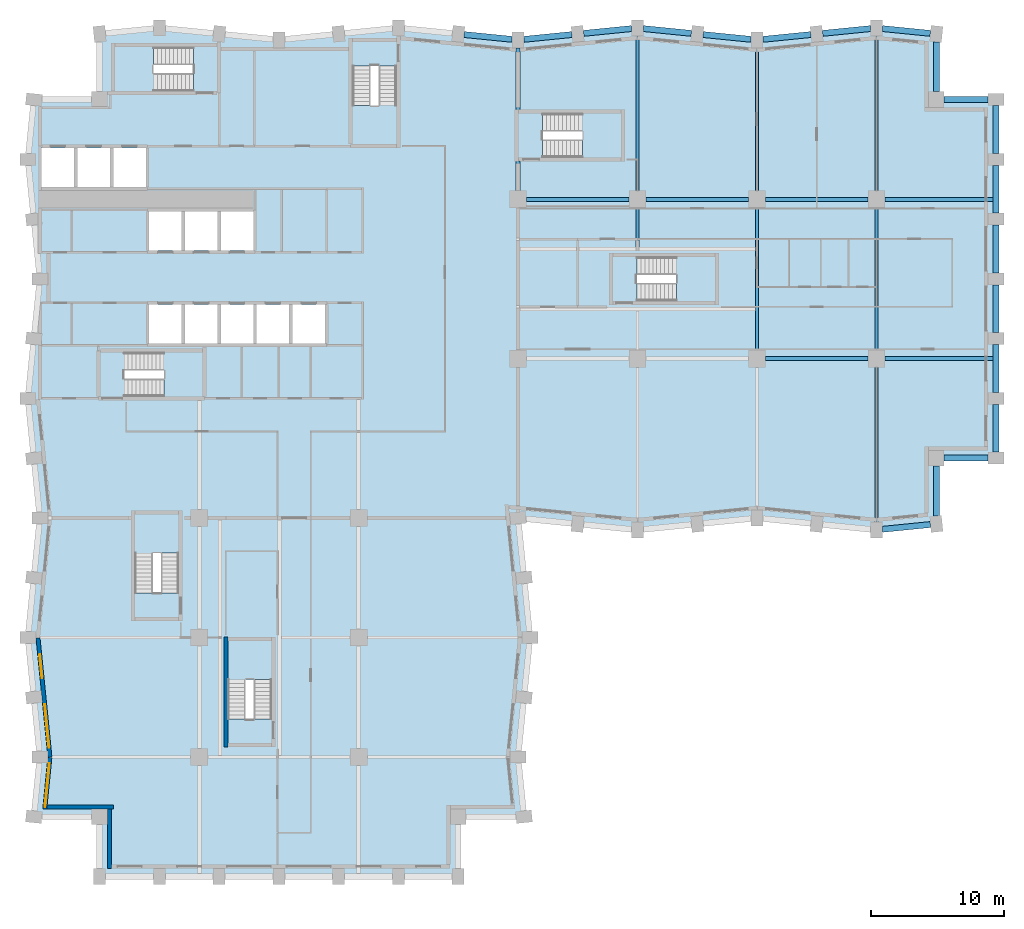
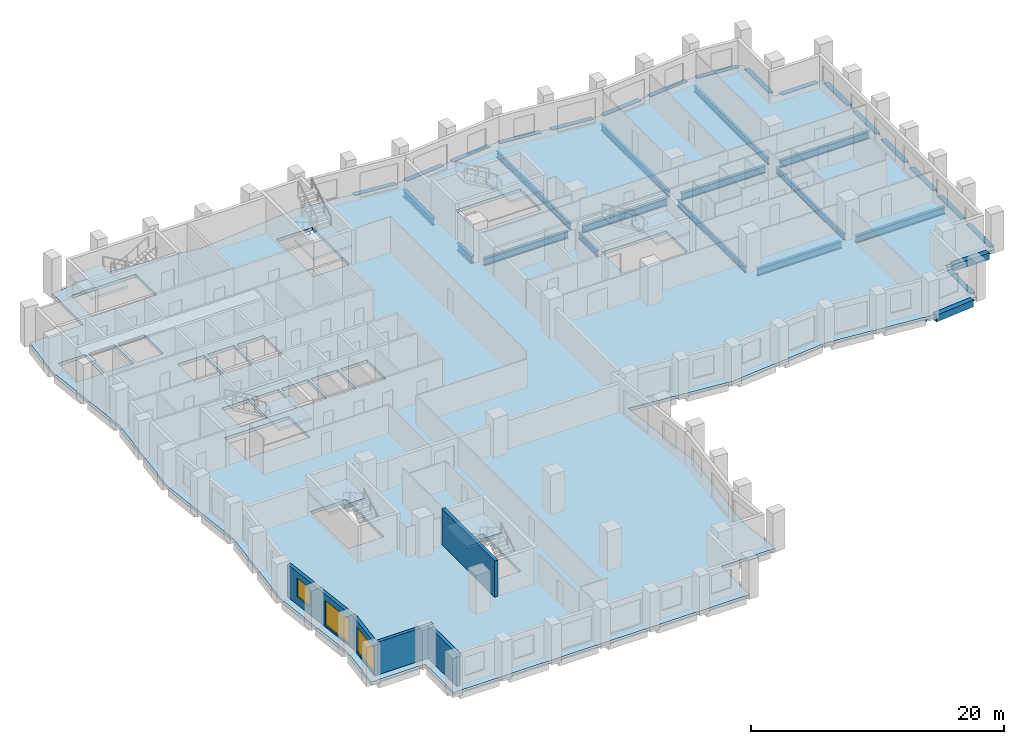
# One storey, part 2 of 11: 34 beams, 8 slabs, 5 walls, 3 windows, 3 openings, 7 elements without a shape of their own.
"""IFC4 building model written with IfcOpenShell, lengths in metres."""

from ifc_helpers import new_model, si_unit, direction, frame, frame_2d, origin, origin_2d, place, context, subcontext, project, spatial, polyline, rectangle, i_section, outline, extrude, material, layer, layer_set, material_profile, profile_set, type_object, element, fill, aggregate, save


model = new_model("IFC4")

# Units and contexts
model_context = context("Model", 3, precision=1e-05, world=origin(), true_north=direction((0.0, 1.0)))
body_context = subcontext(model_context, "Body", "Model", "MODEL_VIEW")
ifc_project = project(units=[si_unit("LENGTHUNIT", "METRE"), si_unit("AREAUNIT", "SQUARE_METRE"), si_unit("VOLUMEUNIT", "CUBIC_METRE"), si_unit("PLANEANGLEUNIT", "RADIAN"), si_unit("MASSUNIT", "GRAM", prefix="KILO")], contexts=[model_context])

# Site, building, storey
site_placement = place(None, origin())
site = spatial("IfcSite", under=ifc_project, at=site_placement, CompositionType="ELEMENT")
building_placement = place(site_placement, origin())
building = spatial("IfcBuilding", under=site, at=building_placement, Name="Brondeck Convention Tower", CompositionType="ELEMENT")
storey_placement = place(building_placement, frame((0.0, 0.0, 115.10009765625)))
storey = spatial("IfcBuildingStorey", under=building, at=storey_placement, Name="L27", CompositionType="ELEMENT", Elevation=115.10009765625)

# Beams
ifc_material_1 = material(Name="Steel S355", Category="steel")
ifc_material_profile_1 = material_profile(ifc_material_1, i_section(OverallWidth=0.219970703125, OverallDepth=0.60009765625, WebThickness=0.011962890625, FlangeThickness=0.01904296875, FilletRadius=0.02392578125, at=origin_2d()), Name="IPE 600")
ifc_profile_set_1 = profile_set([ifc_material_profile_1], Name="Steel S355")
beam_type_1 = type_object("IfcBeamType", Name="Floor beam IPE 600", PredefinedType="BEAM", material=ifc_profile_set_1)
beam_1_placement = place(storey_placement, frame((45.0, 51.64990234375, -0.60009765625), z_axis=(0.0, 1.0, 0.0), x_axis=(-1.0, 0.0, 0.0)))
element("IfcBeam", 1, at=beam_1_placement, inside=storey, type_object=beam_type_1, Name="STR-FB-L27-002", PredefinedType="BEAM", context=body_context, shape_type="SweptSolid", body=[
    extrude(i_section(OverallWidth=0.219970703125, OverallDepth=0.60009765625, WebThickness=0.011962890625, FlangeThickness=0.01904296875, FilletRadius=0.02392578125, at=origin_2d()), origin(), (0.0, 0.0, 1.0), 11.650146484375),
])
beam_2_placement = place(storey_placement, frame((54.0, 39.64990234375, -0.60009765625), z_axis=(0.0, 1.0, 0.0), x_axis=(-1.0, 0.0, 0.0)))
element("IfcBeam", 2, at=beam_2_placement, inside=storey, type_object=beam_type_1, Name="STR-FB-L27-004", PredefinedType="BEAM", context=body_context, shape_type="SweptSolid", body=[
    extrude(i_section(OverallWidth=0.219970703125, OverallDepth=0.60009765625, WebThickness=0.011962890625, FlangeThickness=0.01904296875, FilletRadius=0.02392578125, at=origin_2d()), origin(), (0.0, 0.0, 1.0), 10.7001953125),
])
beam_3_placement = place(storey_placement, frame((54.0, 51.64990234375, -0.60009765625), z_axis=(0.0, 1.0, 0.0), x_axis=(-1.0, 0.0, 0.0)))
element("IfcBeam", 3, at=beam_3_placement, inside=storey, type_object=beam_type_1, Name="STR-FB-L27-005", PredefinedType="BEAM", context=body_context, shape_type="SweptSolid", body=[
    extrude(i_section(OverallWidth=0.219970703125, OverallDepth=0.60009765625, WebThickness=0.011962890625, FlangeThickness=0.01904296875, FilletRadius=0.02392578125, at=origin_2d()), origin(), (0.0, 0.0, 1.0), 10.75),
])
beam_4_placement = place(storey_placement, frame((63.0, 26.699951171875, -0.60009765625), z_axis=(0.0, 1.0, 0.0), x_axis=(-1.0, 0.0, 0.0)))
element("IfcBeam", 4, at=beam_4_placement, inside=storey, type_object=beam_type_1, Name="STR-FB-L27-006", PredefinedType="BEAM", context=body_context, shape_type="SweptSolid", body=[
    extrude(i_section(OverallWidth=0.219970703125, OverallDepth=0.60009765625, WebThickness=0.011962890625, FlangeThickness=0.01904296875, FilletRadius=0.02392578125, at=origin_2d()), origin(), (0.0, 0.0, 1.0), 11.650146484375),
])
beam_5_placement = place(storey_placement, frame((63.0, 39.64990234375, -0.60009765625), z_axis=(0.0, 1.0, 0.0), x_axis=(-1.0, 0.0, 0.0)))
element("IfcBeam", 5, at=beam_5_placement, inside=storey, type_object=beam_type_1, Name="STR-FB-L27-007", PredefinedType="BEAM", context=body_context, shape_type="SweptSolid", body=[
    extrude(i_section(OverallWidth=0.219970703125, OverallDepth=0.60009765625, WebThickness=0.011962890625, FlangeThickness=0.01904296875, FilletRadius=0.02392578125, at=origin_2d()), origin(), (0.0, 0.0, 1.0), 10.7001953125),
])
beam_6_placement = place(storey_placement, frame((63.0, 51.64990234375, -0.60009765625), z_axis=(0.0, 1.0, 0.0), x_axis=(-1.0, 0.0, 0.0)))
element("IfcBeam", 6, at=beam_6_placement, inside=storey, type_object=beam_type_1, Name="STR-FB-L27-008", PredefinedType="BEAM", context=body_context, shape_type="SweptSolid", body=[
    extrude(i_section(OverallWidth=0.219970703125, OverallDepth=0.60009765625, WebThickness=0.011962890625, FlangeThickness=0.01904296875, FilletRadius=0.02392578125, at=origin_2d()), origin(), (0.0, 0.0, 1.0), 11.650146484375),
])
beam_7_placement = place(storey_placement, frame((45.0, 47.39990234375, -0.60009765625), z_axis=(0.0, 1.0, 0.0), x_axis=(-1.0, 0.0, 0.0)))
element("IfcBeam", 7, at=beam_7_placement, inside=storey, type_object=beam_type_1, Name="STR-FB-L27-015", PredefinedType="BEAM", context=body_context, shape_type="SweptSolid", body=[
    extrude(i_section(OverallWidth=0.219970703125, OverallDepth=0.60009765625, WebThickness=0.011962890625, FlangeThickness=0.01904296875, FilletRadius=0.02392578125, at=origin_2d()), origin(), (0.0, 0.0, 1.0), 2.9501953125),
])
ifc_material_profile_2 = material_profile(ifc_material_1, i_section(OverallWidth=0.300048828125, OverallDepth=0.699951171875, WebThickness=0.01708984375, FlangeThickness=0.031982421875, FilletRadius=0.027099609375, at=origin_2d()), Name="HEB 700")
ifc_profile_set_2 = profile_set([ifc_material_profile_2], Name="Steel S355")
beam_type_2 = type_object("IfcBeamType", Name="Girder HEB 700", PredefinedType="BEAM", material=ifc_profile_set_2)
beam_8_placement = place(storey_placement, frame((54.64990234375, 39.0, -0.650146484375), z_axis=(1.0, 0.0, 0.0), x_axis=(0.0, 1.0, 0.0)))
element("IfcBeam", 8, at=beam_8_placement, inside=storey, type_object=beam_type_2, Name="STR-GR-L27-003", PredefinedType="BEAM", context=body_context, shape_type="SweptSolid", body=[
    extrude(i_section(OverallWidth=0.300048828125, OverallDepth=0.699951171875, WebThickness=0.01708984375, FlangeThickness=0.031982421875, FilletRadius=0.027099609375, at=origin_2d()), origin(), (0.0, 0.0, 1.0), 7.7001953125),
])
beam_9_placement = place(storey_placement, frame((63.64990234375, 39.0, -0.650146484375), z_axis=(1.0, 0.0, 0.0), x_axis=(0.0, 1.0, 0.0)))
element("IfcBeam", 9, at=beam_9_placement, inside=storey, type_object=beam_type_2, Name="STR-GR-L27-004", PredefinedType="BEAM", context=body_context, shape_type="SweptSolid", body=[
    extrude(i_section(OverallWidth=0.300048828125, OverallDepth=0.699951171875, WebThickness=0.01708984375, FlangeThickness=0.031982421875, FilletRadius=0.027099609375, at=origin_2d()), origin(), (0.0, 0.0, 1.0), 8.125),
])
for number, where, z_axis, x_axis, name in (
    (10, (36.64990234375, 51.0, -0.650146484375), (1.0, 0.0, 0.0), (0.0, 1.0, 0.0), "STR-GR-L27-005"),
    (11, (45.64990234375, 51.0, -0.650146484375), (1.0, 0.0, 0.0), (0.0, 1.0, 0.0), "STR-GR-L27-006"),
    (12, (54.64990234375, 51.0, -0.650146484375), (1.0, 0.0, 0.0), (0.0, 1.0, 0.0), "STR-GR-L27-007"),
):
    element("IfcBeam", number, at=place(storey_placement, frame(where, z_axis=z_axis, x_axis=x_axis)), inside=storey, type_object=beam_type_2, Name=name, PredefinedType="BEAM", context=body_context, shape_type="SweptSolid", body=[
        extrude(i_section(OverallWidth=0.300048828125, OverallDepth=0.699951171875, WebThickness=0.01708984375, FlangeThickness=0.031982421875, FilletRadius=0.027099609375, at=origin_2d()), origin(), (0.0, 0.0, 1.0), 7.7001953125),
    ])
beam_10_placement = place(storey_placement, frame((63.64990234375, 51.0, -0.650146484375), z_axis=(1.0, 0.0, 0.0), x_axis=(0.0, 1.0, 0.0)))
element("IfcBeam", 13, at=beam_10_placement, inside=storey, type_object=beam_type_2, Name="STR-GR-L27-008", PredefinedType="BEAM", context=body_context, shape_type="SweptSolid", body=[
    extrude(i_section(OverallWidth=0.300048828125, OverallDepth=0.699951171875, WebThickness=0.01708984375, FlangeThickness=0.031982421875, FilletRadius=0.027099609375, at=origin_2d()), origin(), (0.0, 0.0, 1.0), 8.125),
])
beam_11_placement = place(storey_placement, frame((36.0, 51.64990234375, -0.650146484375), z_axis=(0.0, 1.0, 0.0), x_axis=(-1.0, 0.0, 0.0)))
element("IfcBeam", 14, at=beam_11_placement, inside=storey, type_object=beam_type_2, Name="STR-GR-L27-011", PredefinedType="BEAM", context=body_context, shape_type="SweptSolid", body=[
    extrude(i_section(OverallWidth=0.300048828125, OverallDepth=0.699951171875, WebThickness=0.01708984375, FlangeThickness=0.031982421875, FilletRadius=0.027099609375, at=origin_2d()), origin(), (0.0, 0.0, 1.0), 2.22998046875),
])
beam_12_placement = place(storey_placement, frame((36.0, 57.719970703125, -0.650146484375), z_axis=(0.0, 1.0, 0.0), x_axis=(-1.0, 0.0, 0.0)))
element("IfcBeam", 15, at=beam_12_placement, inside=storey, type_object=beam_type_2, Name="STR-GR-L27-012", PredefinedType="BEAM", context=body_context, shape_type="SweptSolid", body=[
    extrude(i_section(OverallWidth=0.300048828125, OverallDepth=0.699951171875, WebThickness=0.01708984375, FlangeThickness=0.031982421875, FilletRadius=0.027099609375, at=origin_2d()), origin(), (0.0, 0.0, 1.0), 4.679931640625),
])
ifc_material_2 = material(Name="Concrete C70/85", Category="concrete")
ifc_material_profile_3 = material_profile(ifc_material_2, rectangle(XDim=0.449951171875, YDim=0.64990234375, at=origin_2d()), Name="Precast spandrel 450x650 Concrete C70/85")
ifc_profile_set_3 = profile_set([ifc_material_profile_3], Name="Concrete C70/85")
beam_type_3 = type_object("IfcBeamType", Name="Precast spandrel 450x650 Concrete C70/85", PredefinedType="SPANDREL", material=ifc_profile_set_3)
beam_13_placement = place(storey_placement, frame((63.449951171875, 26.14501953125, -0.3251953125), z_axis=(0.995040528141, 0.099470334057, 0.0), x_axis=(-0.099470334057, 0.995040528141, 0.0)))
element("IfcBeam", 16, at=beam_13_placement, inside=storey, type_object=beam_type_3, Name="STR-SP-L27-020", PredefinedType="SPANDREL", context=body_context, shape_type="SweptSolid", body=[
    extrude(rectangle(XDim=0.449951171875, YDim=0.64990234375, at=origin_2d()), origin(), (0.0, 0.0, 1.0), 3.620361328125),
])
beam_14_placement = place(storey_placement, frame((67.5, 27.153076171875, -0.3251953125), z_axis=(0.0, 1.0, 0.0), x_axis=(-1.0, 0.0, 0.0)))
element("IfcBeam", 17, at=beam_14_placement, inside=storey, type_object=beam_type_3, Name="STR-SP-L27-021", PredefinedType="SPANDREL", context=body_context, shape_type="SweptSolid", body=[
    extrude(rectangle(XDim=0.449951171875, YDim=0.64990234375, at=origin_2d()), origin(), (0.0, 0.0, 1.0), 3.746826171875),
])
beam_15_placement = place(storey_placement, frame((68.10009765625, 31.5, -0.3251953125), z_axis=(1.0, 0.0, 0.0), x_axis=(0.0, 1.0, 0.0)))
element("IfcBeam", 18, at=beam_15_placement, inside=storey, type_object=beam_type_3, Name="STR-SP-L27-022", PredefinedType="SPANDREL", context=body_context, shape_type="SweptSolid", body=[
    extrude(rectangle(XDim=0.449951171875, YDim=0.64990234375, at=origin_2d()), origin(), (0.0, 0.0, 1.0), 3.2998046875),
])
for number, where, z_axis, x_axis, name in (
    (19, (72.0, 31.949951171875, -0.3251953125), (0.0, 1.0, 0.0), (-1.0, 0.0, 0.0), "STR-SP-L27-023"),
    (20, (72.0, 36.449951171875, -0.3251953125), (0.0, 1.0, 0.0), (-1.0, 0.0, 0.0), "STR-SP-L27-024"),
    (21, (72.0, 40.949951171875, -0.3251953125), (0.0, 1.0, 0.0), (-1.0, 0.0, 0.0), "STR-SP-L27-025"),
    (22, (72.0, 45.449951171875, -0.3251953125), (0.0, 1.0, 0.0), (-1.0, 0.0, 0.0), "STR-SP-L27-026"),
    (23, (72.0, 49.949951171875, -0.3251953125), (0.0, 1.0, 0.0), (-1.0, 0.0, 0.0), "STR-SP-L27-027"),
    (24, (72.0, 54.449951171875, -0.3251953125), (0.0, 1.0, 0.0), (-1.0, 0.0, 0.0), "STR-SP-L27-028"),
):
    element("IfcBeam", number, at=place(storey_placement, frame(where, z_axis=z_axis, x_axis=x_axis)), inside=storey, type_object=beam_type_3, Name=name, PredefinedType="SPANDREL", context=body_context, shape_type="SweptSolid", body=[
        extrude(rectangle(XDim=0.449951171875, YDim=0.64990234375, at=origin_2d()), origin(), (0.0, 0.0, 1.0), 3.60009765625),
    ])
beam_16_placement = place(storey_placement, frame((71.39990234375, 58.5, -0.3251953125), z_axis=(-1.0, 0.0, 0.0), x_axis=(0.0, -1.0, 0.0)))
element("IfcBeam", 25, at=beam_16_placement, inside=storey, type_object=beam_type_3, Name="STR-SP-L27-029", PredefinedType="SPANDREL", context=body_context, shape_type="SweptSolid", body=[
    extrude(rectangle(XDim=0.449951171875, YDim=0.64990234375, at=origin_2d()), origin(), (0.0, 0.0, 1.0), 3.2998046875),
])
beam_17_placement = place(storey_placement, frame((67.5, 59.10009765625, -0.3251953125), z_axis=(0.0, 1.0, 0.0), x_axis=(-1.0, 0.0, 0.0)))
element("IfcBeam", 26, at=beam_17_placement, inside=storey, type_object=beam_type_3, Name="STR-SP-L27-030", PredefinedType="SPANDREL", context=body_context, shape_type="SweptSolid", body=[
    extrude(rectangle(XDim=0.449951171875, YDim=0.64990234375, at=origin_2d()), origin(), (0.0, 0.0, 1.0), 3.746826171875),
])
for number, where, z_axis, x_axis, name in (
    (27, (67.05224609375, 63.494873046875, -0.3251953125), (-0.995040528141, 0.099470334057, 0.0), (-0.099470334057, -0.995040528141, 0.0), "STR-SP-L27-031"),
    (28, (62.550048828125, 63.85498046875, -0.3251953125), (-0.995040528141, -0.099470334057, 0.0), (0.099470334057, -0.995040528141, 0.0), "STR-SP-L27-032"),
    (29, (58.05224609375, 63.4052734375, -0.3251953125), (-0.995033851182, -0.099537103649, 0.0), (0.099537103649, -0.995033851182, 0.0), "STR-SP-L27-033"),
    (30, (53.550048828125, 63.044921875, -0.3251953125), (-0.995033851182, 0.099537103649, 0.0), (-0.099537103649, -0.995033851182, 0.0), "STR-SP-L27-034"),
    (31, (49.05224609375, 63.494873046875, -0.3251953125), (-0.995040528141, 0.099470334057, 0.0), (-0.099470334057, -0.995040528141, 0.0), "STR-SP-L27-035"),
    (32, (44.550048828125, 63.85498046875, -0.3251953125), (-0.995040528141, -0.099470334057, 0.0), (0.099470334057, -0.995040528141, 0.0), "STR-SP-L27-036"),
    (33, (40.05224609375, 63.4052734375, -0.3251953125), (-0.995033851182, -0.099537103649, 0.0), (0.099537103649, -0.995033851182, 0.0), "STR-SP-L27-037"),
    (34, (35.550048828125, 63.044921875, -0.3251953125), (-0.995033851182, 0.099537103649, 0.0), (-0.099537103649, -0.995033851182, 0.0), "STR-SP-L27-038"),
):
    element("IfcBeam", number, at=place(storey_placement, frame(where, z_axis=z_axis, x_axis=x_axis)), inside=storey, type_object=beam_type_3, Name=name, PredefinedType="SPANDREL", context=body_context, shape_type="SweptSolid", body=[
        extrude(rectangle(XDim=0.449951171875, YDim=0.64990234375, at=origin_2d()), origin(), (0.0, 0.0, 1.0), 3.620361328125),
    ])

# Slab
ifc_material_3 = material(Name="Concrete C35/45", Category="concrete")
ifc_layer_1 = layer(ifc_material_3, 0.300048828125)
ifc_layer_set_1 = layer_set([ifc_layer_1], Name="Composite floor slab 300")
slab_type_1 = type_object("IfcSlabType", Name="Composite floor slab 300", PredefinedType="FLOOR", material=ifc_layer_set_1)
slab_1_placement = place(storey_placement, frame((0.0, 0.0, -0.300048828125)))
element("IfcSlab", 35, at=slab_1_placement, inside=storey, type_object=slab_type_1, Name="STR-SL-L27", PredefinedType="FLOOR", context=body_context, shape_type="SweptSolid", body=[
    extrude(outline(polyline([(4.5, 4.5), (-0.449951171875, 4.5), (0.0, 9.0), (-0.89990234375, 18.0), (0.0, 27.0), (-0.89990234375, 36.0), (0.0, 45.0), (-0.89990234375, 54.0), (-0.449951171875, 58.5), (4.5, 58.5), (4.5, 63.449951171875), (9.0, 63.89990234375), (18.0, 63.0), (27.0, 63.89990234375), (36.0, 63.0), (45.0, 63.89990234375), (54.0, 63.0), (63.0, 63.89990234375), (67.5, 63.449951171875), (67.5, 58.5), (72.0, 58.5), (72.0, 31.5), (67.5, 31.5), (67.5, 26.550048828125), (63.0, 26.10009765625), (54.0, 27.0), (45.0, 26.10009765625), (36.0, 27.0), (36.89990234375, 18.0), (36.0, 9.0), (36.449951171875, 4.5), (31.5, 4.5), (31.5, 0.0), (4.5, 0.0), (4.5, 4.5)]), holes=[polyline([(10.447998046875, 27.248046875), (7.152099609375, 27.248046875), (7.152099609375, 21.35205078125), (10.447998046875, 21.35205078125), (10.447998046875, 27.248046875)]), polyline([(12.248046875, 36.152099609375), (12.248046875, 39.447998046875), (6.35205078125, 39.447998046875), (6.35205078125, 36.152099609375), (12.248046875, 36.152099609375)]), polyline([(10.675048828125, 40.125), (10.675048828125, 43.074951171875), (8.22509765625, 43.074951171875), (8.22509765625, 40.125), (10.675048828125, 40.125)]), polyline([(10.675048828125, 47.125), (10.675048828125, 50.074951171875), (8.22509765625, 50.074951171875), (8.22509765625, 47.125), (10.675048828125, 47.125)]), polyline([(13.375, 47.125), (13.375, 50.074951171875), (10.925048828125, 50.074951171875), (10.925048828125, 47.125), (13.375, 47.125)]), polyline([(2.574951171875, 51.925048828125), (2.574951171875, 54.875), (0.125, 54.875), (0.125, 51.925048828125), (2.574951171875, 51.925048828125)]), polyline([(5.27490234375, 51.925048828125), (5.27490234375, 54.875), (2.824951171875, 54.875), (2.824951171875, 51.925048828125), (5.27490234375, 51.925048828125)]), polyline([(5.52490234375, 51.925048828125), (7.97509765625, 51.925048828125), (7.97509765625, 54.875), (5.52490234375, 54.875), (5.52490234375, 51.925048828125)]), polyline([(11.548095703125, 62.447998046875), (5.652099609375, 62.447998046875), (5.652099609375, 59.152099609375), (11.548095703125, 59.152099609375), (11.548095703125, 62.447998046875)]), polyline([(17.447998046875, 17.748046875), (14.152099609375, 17.748046875), (14.152099609375, 11.85205078125), (17.447998046875, 11.85205078125), (17.447998046875, 17.748046875)]), polyline([(13.375, 40.125), (13.375, 43.074951171875), (10.925048828125, 43.074951171875), (10.925048828125, 40.125), (13.375, 40.125)]), polyline([(16.074951171875, 40.125), (16.074951171875, 43.074951171875), (13.625, 43.074951171875), (13.625, 40.125), (16.074951171875, 40.125)]), polyline([(18.77490234375, 40.125), (18.77490234375, 43.074951171875), (16.324951171875, 43.074951171875), (16.324951171875, 40.125), (18.77490234375, 40.125)]), polyline([(21.47509765625, 40.125), (21.47509765625, 43.074951171875), (19.02490234375, 43.074951171875), (19.02490234375, 40.125), (21.47509765625, 40.125)]), polyline([(50.847900390625, 43.35205078125), (50.847900390625, 46.64794921875), (44.951904296875, 46.64794921875), (44.951904296875, 43.35205078125), (50.847900390625, 43.35205078125)]), polyline([(16.074951171875, 47.125), (16.074951171875, 50.074951171875), (13.625, 50.074951171875), (13.625, 47.125), (16.074951171875, 47.125)]), polyline([(37.85205078125, 54.152099609375), (43.748046875, 54.152099609375), (43.748046875, 57.447998046875), (37.85205078125, 57.447998046875), (37.85205078125, 54.152099609375)]), polyline([(23.552001953125, 61.048095703125), (23.552001953125, 55.152099609375), (26.847900390625, 55.152099609375), (26.847900390625, 61.048095703125), (23.552001953125, 61.048095703125)])]), origin(), (0.0, 0.0, 1.0), 0.300048828125),
])

# Stair, slab
ifc_material_4 = material(Name="Precast concrete C50/60", Category="concrete")
stair_type = type_object("IfcStairType", Name="Core stair 22 risers 172.73 mm riser 300 mm going 1350 wide", PredefinedType="HALF_TURN_STAIR", material=ifc_material_4)
stair_1_placement = place(storey_placement, origin())
stair_1 = element("IfcStair", 36, at=stair_1_placement, inside=storey, type_object=stair_type, Name="ST-1 L27 stair", PredefinedType="HALF_TURN_STAIR")
ifc_layer_2 = layer(ifc_material_4, 0.25)
ifc_layer_set_2 = layer_set([ifc_layer_2], Name="Core stair landing 250 Precast concrete C50/60")
slab_type_2 = type_object("IfcSlabType", Name="Core stair landing 250 Precast concrete C50/60", PredefinedType="LANDING", material=ifc_layer_set_2)
slab_2_placement = place(storey_placement, frame((0.0, 0.0, 1.64990234375)))
slab_2 = element("IfcSlab", 37, at=slab_2_placement, type_object=slab_type_2, Name="ST-1 landing 1", PredefinedType="LANDING", context=body_context, shape_type="SweptSolid", body=[
    extrude(outline(polyline([(9.347900390625, 37.5), (9.35009765625, 37.5), (9.35009765625, 38.10009765625), (9.050048828125, 38.10009765625), (9.050048828125, 39.570068359375), (12.3701171875, 39.570068359375), (12.3701171875, 36.030029296875), (9.347900390625, 36.030029296875), (9.347900390625, 37.5)])), origin(), (0.0, 0.0, 1.0), 0.25),
])
aggregate(stair_1, [slab_2])

stair_2_placement = place(storey_placement, origin())
stair_2 = element("IfcStair", 38, at=stair_2_placement, inside=storey, type_object=stair_type, Name="ST-2 L27 stair", PredefinedType="HALF_TURN_STAIR")
slab_3_placement = place(storey_placement, frame((0.0, 0.0, 1.64990234375)))
slab_3 = element("IfcSlab", 39, at=slab_3_placement, type_object=slab_type_2, Name="ST-2 landing 1", PredefinedType="LANDING", context=body_context, shape_type="SweptSolid", body=[
    extrude(outline(polyline([(23.429931640625, 58.052001953125), (24.89990234375, 58.052001953125), (24.89990234375, 58.050048828125), (25.5, 58.050048828125), (25.5, 58.35009765625), (26.969970703125, 58.35009765625), (26.969970703125, 55.030029296875), (23.429931640625, 55.030029296875), (23.429931640625, 58.052001953125)])), origin(), (0.0, 0.0, 1.0), 0.25),
])
aggregate(stair_2, [slab_3])

stair_3_placement = place(storey_placement, origin())
stair_3 = element("IfcStair", 40, at=stair_3_placement, inside=storey, type_object=stair_type, Name="ST-3 L27 stair", PredefinedType="HALF_TURN_STAIR")
slab_4_placement = place(storey_placement, frame((0.0, 0.0, 1.64990234375)))
slab_4 = element("IfcSlab", 41, at=slab_4_placement, type_object=slab_type_2, Name="ST-3 landing 1", PredefinedType="LANDING", context=body_context, shape_type="SweptSolid", body=[
    extrude(outline(polyline([(8.85009765625, 60.5), (8.85009765625, 59.030029296875), (5.530029296875, 59.030029296875), (5.530029296875, 62.570068359375), (8.552001953125, 62.570068359375), (8.552001953125, 61.10009765625), (8.550048828125, 61.10009765625), (8.550048828125, 60.5), (8.85009765625, 60.5)])), origin(), (0.0, 0.0, 1.0), 0.25),
])
aggregate(stair_3, [slab_4])

stair_4_placement = place(storey_placement, origin())
stair_4 = element("IfcStair", 42, at=stair_4_placement, inside=storey, type_object=stair_type, Name="ST-AE L27 stair", PredefinedType="HALF_TURN_STAIR")
slab_5_placement = place(storey_placement, frame((0.0, 0.0, 1.64990234375)))
slab_5 = element("IfcSlab", 43, at=slab_5_placement, type_object=slab_type_2, Name="ST-AE landing 1", PredefinedType="LANDING", context=body_context, shape_type="SweptSolid", body=[
    extrude(outline(polyline([(40.847900390625, 55.5), (40.85009765625, 55.5), (40.85009765625, 56.10009765625), (40.550048828125, 56.10009765625), (40.550048828125, 57.570068359375), (43.8701171875, 57.570068359375), (43.8701171875, 54.030029296875), (40.847900390625, 54.030029296875), (40.847900390625, 55.5)])), origin(), (0.0, 0.0, 1.0), 0.25),
])
aggregate(stair_4, [slab_5])

stair_5_placement = place(storey_placement, origin())
stair_5 = element("IfcStair", 44, at=stair_5_placement, inside=storey, type_object=stair_type, Name="ST-BE L27 stair", PredefinedType="HALF_TURN_STAIR")
slab_6_placement = place(storey_placement, frame((0.0, 0.0, 1.64990234375)))
slab_6 = element("IfcSlab", 45, at=slab_6_placement, type_object=slab_type_2, Name="ST-BE landing 1", PredefinedType="LANDING", context=body_context, shape_type="SweptSolid", body=[
    extrude(outline(polyline([(7.030029296875, 24.050048828125), (7.030029296875, 27.3701171875), (10.570068359375, 27.3701171875), (10.570068359375, 24.347900390625), (9.10009765625, 24.347900390625), (9.10009765625, 24.35009765625), (8.5, 24.35009765625), (8.5, 24.050048828125), (7.030029296875, 24.050048828125)])), origin(), (0.0, 0.0, 1.0), 0.25),
])
aggregate(stair_5, [slab_6])

stair_6_placement = place(storey_placement, origin())
stair_6 = element("IfcStair", 46, at=stair_6_placement, inside=storey, type_object=stair_type, Name="ST-AF L27 stair", PredefinedType="HALF_TURN_STAIR")
slab_7_placement = place(storey_placement, frame((0.0, 0.0, 1.64990234375)))
slab_7 = element("IfcSlab", 47, at=slab_7_placement, type_object=slab_type_2, Name="ST-AF landing 1", PredefinedType="LANDING", context=body_context, shape_type="SweptSolid", body=[
    extrude(outline(polyline([(47.947998046875, 44.699951171875), (47.949951171875, 44.699951171875), (47.949951171875, 45.300048828125), (47.64990234375, 45.300048828125), (47.64990234375, 46.77001953125), (50.969970703125, 46.77001953125), (50.969970703125, 43.22998046875), (47.947998046875, 43.22998046875), (47.947998046875, 44.699951171875)])), origin(), (0.0, 0.0, 1.0), 0.25),
])
aggregate(stair_6, [slab_7])

stair_7_placement = place(storey_placement, origin())
stair_7 = element("IfcStair", 48, at=stair_7_placement, inside=storey, type_object=stair_type, Name="ST-BF L27 stair", PredefinedType="HALF_TURN_STAIR")
slab_8_placement = place(storey_placement, frame((0.0, 0.0, 1.64990234375)))
slab_8 = element("IfcSlab", 49, at=slab_8_placement, type_object=slab_type_2, Name="ST-BF landing 1", PredefinedType="LANDING", context=body_context, shape_type="SweptSolid", body=[
    extrude(outline(polyline([(14.030029296875, 14.550048828125), (14.030029296875, 17.8701171875), (17.570068359375, 17.8701171875), (17.570068359375, 14.847900390625), (16.10009765625, 14.847900390625), (16.10009765625, 14.85009765625), (15.5, 14.85009765625), (15.5, 14.550048828125), (14.030029296875, 14.550048828125)])), origin(), (0.0, 0.0, 1.0), 0.25),
])
aggregate(stair_7, [slab_8])

# Wall, openings, windows
ifc_material_5 = material(Name="Precast concrete C50/60 bronze finish", Category="concrete")
ifc_layer_3 = layer(ifc_material_5, 0.070068359375, Name="Bronze precast facing")
ifc_material_6 = material(Name="Mineral wool")
ifc_layer_4 = layer(ifc_material_6, 0.159912109375, Name="Insulation")
ifc_layer_5 = layer(ifc_material_3, 0.070068359375, Name="Backing")
ifc_layer_set_3 = layer_set([ifc_layer_3, ifc_layer_4, ifc_layer_5], Name="External infill wall, precast concrete C50/60 bronze facing")
wall_type_1 = type_object("IfcWallType", Name="External infill wall, precast concrete C50/60 bronze facing", PredefinedType="SOLIDWALL", material=ifc_layer_set_3)
wall_1_placement = place(storey_placement, frame((0.755126953125, 8.985107421875, 0.0), z_axis=(0.0, 0.0, 1.0), x_axis=(-0.099495688264, 0.995037993253, 0.0)))
wall_1 = element("IfcWall", 50, at=wall_1_placement, inside=storey, type_object=wall_type_1, Name="ENV-EW-L27-P0-B-W-10", PredefinedType="SOLIDWALL", context=body_context, shape_type="SweptSolid", body=[
    extrude(rectangle(XDim=9.030029296875, YDim=0.300048828125, at=frame_2d((4.51513671875, 0.0))), origin(), (0.0, 0.0, 1.0), 3.14990234375),
])
opening_1_placement = place(wall_1_placement, frame((0.701171875, 0.0, 0.14990234375)))
opening_1 = element("IfcOpeningElement", 51, at=opening_1_placement, cuts=wall_1, Name="Opening W9", PredefinedType="OPENING", context=body_context, shape_type="SweptSolid", body=[
    extrude(rectangle(XDim=3.300048828125, YDim=2.39990234375, at=frame_2d((1.64990234375, 1.199951171875))), frame((0.0, 0.159912109375, 0.0), z_axis=(0.0, -1.0, 0.0), x_axis=(1.0, 0.0, 0.0)), (0.0, 0.0, 1.0), 0.320068359375),
])
opening_2_placement = place(wall_1_placement, frame((5.9736328125, 0.0, 0.75)))
opening_2 = element("IfcOpeningElement", 52, at=opening_2_placement, cuts=wall_1, Name="Opening W10", PredefinedType="OPENING", context=body_context, shape_type="SweptSolid", body=[
    extrude(rectangle(XDim=1.800048828125, YDim=1.800048828125, at=frame_2d((0.89990234375, 0.89990234375))), frame((0.0, 0.159912109375, 0.0), z_axis=(0.0, -1.0, 0.0), x_axis=(1.0, 0.0, 0.0)), (0.0, 0.0, 1.0), 0.320068359375),
])
ifc_material_7 = material(Name="Bronze tinted double glazing", Category="glass")
window_type_1 = type_object("IfcWindowType", Name="Glazed flute window, bronze tinted", PartitioningType="SINGLE_PANEL", PredefinedType="WINDOW", material=ifc_material_7)
window_1_placement = place(opening_1_placement, origin())
window_1 = element("IfcWindow", 53, at=window_1_placement, inside=storey, type_object=window_type_1, Name="ENV-WN-L27-P0-B-W-11", OverallHeight=2.39990234375, OverallWidth=3.300048828125, PartitioningType="SINGLE_PANEL", PredefinedType="WINDOW", context=body_context, shape_type="SweptSolid", body=[
    extrude(rectangle(XDim=3.300048828125, YDim=2.39990234375, at=frame_2d((1.64990234375, 1.199951171875))), frame((0.0, 0.030029296875, 0.0), z_axis=(0.0, -1.0, 0.0), x_axis=(1.0, 0.0, 0.0)), (0.0, 0.0, 1.0), 0.06005859375),
])
fill(opening_1, window_1)
window_type_2 = type_object("IfcWindowType", Name="Punched window, bronze tinted", PartitioningType="SINGLE_PANEL", PredefinedType="WINDOW", material=ifc_material_7)
window_2_placement = place(opening_2_placement, origin())
window_2 = element("IfcWindow", 54, at=window_2_placement, inside=storey, type_object=window_type_2, Name="ENV-WN-L27-P0-B-W-10", OverallHeight=1.800048828125, OverallWidth=1.800048828125, PartitioningType="SINGLE_PANEL", PredefinedType="WINDOW", context=body_context, shape_type="SweptSolid", body=[
    extrude(rectangle(XDim=1.800048828125, YDim=1.800048828125, at=frame_2d((0.89990234375, 0.89990234375))), frame((0.0, 0.030029296875, 0.0), z_axis=(0.0, -1.0, 0.0), x_axis=(1.0, 0.0, 0.0)), (0.0, 0.0, 1.0), 0.06005859375),
])
fill(opening_2, window_2)

# Wall, opening, window
wall_2_placement = place(storey_placement, frame((0.3623046875, 5.085205078125, 0.0), z_axis=(0.0, 0.0, 1.0), x_axis=(0.099485145752, 0.995039047362, 0.0)))
wall_2 = element("IfcWall", 55, at=wall_2_placement, inside=storey, type_object=wall_type_1, Name="ENV-EW-L27-P0-B-W-12", PredefinedType="SOLIDWALL", context=body_context, shape_type="SweptSolid", body=[
    extrude(rectangle(XDim=3.904296875, YDim=0.300048828125, at=frame_2d((1.9521484375, 0.0))), origin(), (0.0, 0.0, 1.0), 3.14990234375),
])
opening_3_placement = place(wall_2_placement, frame((0.14990234375, 0.0, 0.14990234375)))
opening_3 = element("IfcOpeningElement", 56, at=opening_3_placement, cuts=wall_2, Name="Opening W9", PredefinedType="OPENING", context=body_context, shape_type="SweptSolid", body=[
    extrude(rectangle(XDim=3.300048828125, YDim=2.39990234375, at=frame_2d((1.64990234375, 1.199951171875))), frame((0.0, 0.159912109375, 0.0), z_axis=(0.0, -1.0, 0.0), x_axis=(1.0, 0.0, 0.0)), (0.0, 0.0, 1.0), 0.320068359375),
])
window_3_placement = place(opening_3_placement, origin())
window_3 = element("IfcWindow", 57, at=window_3_placement, inside=storey, type_object=window_type_1, Name="ENV-WN-L27-P0-B-W-12", OverallHeight=2.39990234375, OverallWidth=3.300048828125, PartitioningType="SINGLE_PANEL", PredefinedType="WINDOW", context=body_context, shape_type="SweptSolid", body=[
    extrude(rectangle(XDim=3.300048828125, YDim=2.39990234375, at=frame_2d((1.64990234375, 1.199951171875))), frame((0.0, 0.030029296875, 0.0), z_axis=(0.0, -1.0, 0.0), x_axis=(1.0, 0.0, 0.0)), (0.0, 0.0, 1.0), 0.06005859375),
])
fill(opening_3, window_3)

# Walls
wall_3_placement = place(storey_placement, frame((5.550048828125, 5.25, 0.0), z_axis=(0.0, 0.0, 1.0), x_axis=(-1.0, 0.0, 0.0)))
element("IfcWall", 58, at=wall_3_placement, inside=storey, type_object=wall_type_1, Name="ENV-EW-L27-P0-NC-SWB0-01", PredefinedType="SOLIDWALL", context=body_context, shape_type="SweptSolid", body=[
    extrude(rectangle(XDim=5.015380859375, YDim=0.300048828125, at=frame_2d((2.5078125, 0.0))), origin(), (0.0, 0.0, 1.0), 3.14990234375),
])
wall_4_placement = place(storey_placement, frame((5.25, 0.60009765625, 0.0), z_axis=(0.0, 0.0, 1.0), x_axis=(0.0, 1.0, 0.0)))
element("IfcWall", 59, at=wall_4_placement, inside=storey, type_object=wall_type_1, Name="ENV-EW-L27-P0-NC-SWB0-02", PredefinedType="SOLIDWALL", context=body_context, shape_type="SweptSolid", body=[
    extrude(rectangle(XDim=4.5, YDim=0.300048828125, at=frame_2d((2.25, 0.0))), origin(), (0.0, 0.0, 1.0), 3.14990234375),
])
ifc_layer_6 = layer(ifc_material_2, 0.300048828125)
ifc_layer_set_4 = layer_set([ifc_layer_6], Name="Stair enclosure wall 300 Concrete C70/85")
wall_type_2 = type_object("IfcWallType", Name="Stair enclosure wall 300 Concrete C70/85", PredefinedType="SHEAR", material=ifc_layer_set_4)
wall_5_placement = place(storey_placement, frame((14.0, 9.75, 0.0), z_axis=(0.0, 0.0, 1.0), x_axis=(0.0, 1.0, 0.0)))
element("IfcWall", 60, at=wall_5_placement, inside=storey, type_object=wall_type_2, Name="L27 core wall", PredefinedType="SHEAR", context=body_context, shape_type="SweptSolid", body=[
    extrude(rectangle(XDim=8.300048828125, YDim=0.300048828125, at=frame_2d((4.14990234375, 0.0))), origin(), (0.0, 0.0, 1.0), 3.5),
])

save(model, "model.ifc")
